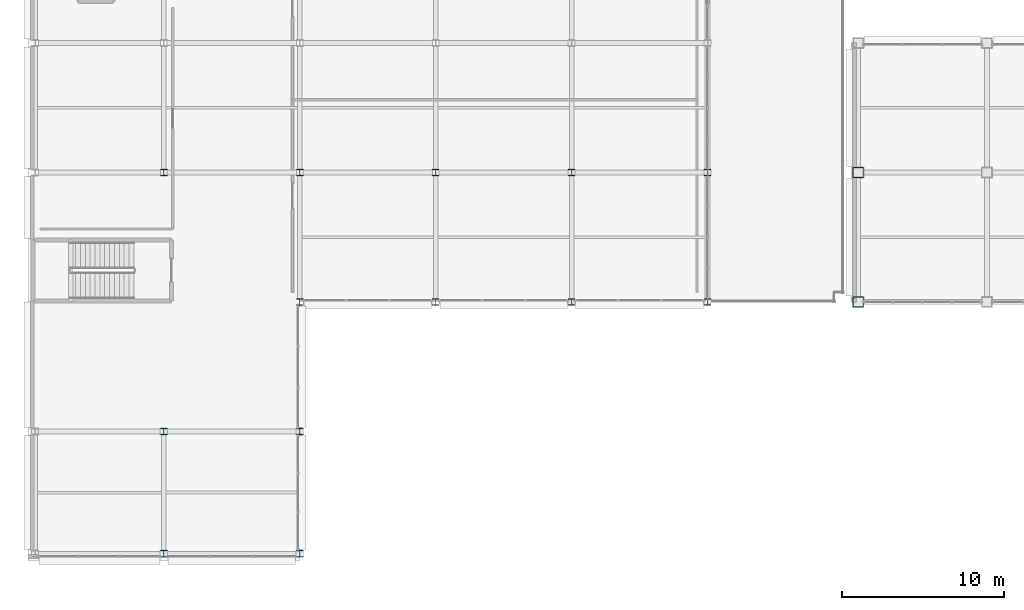
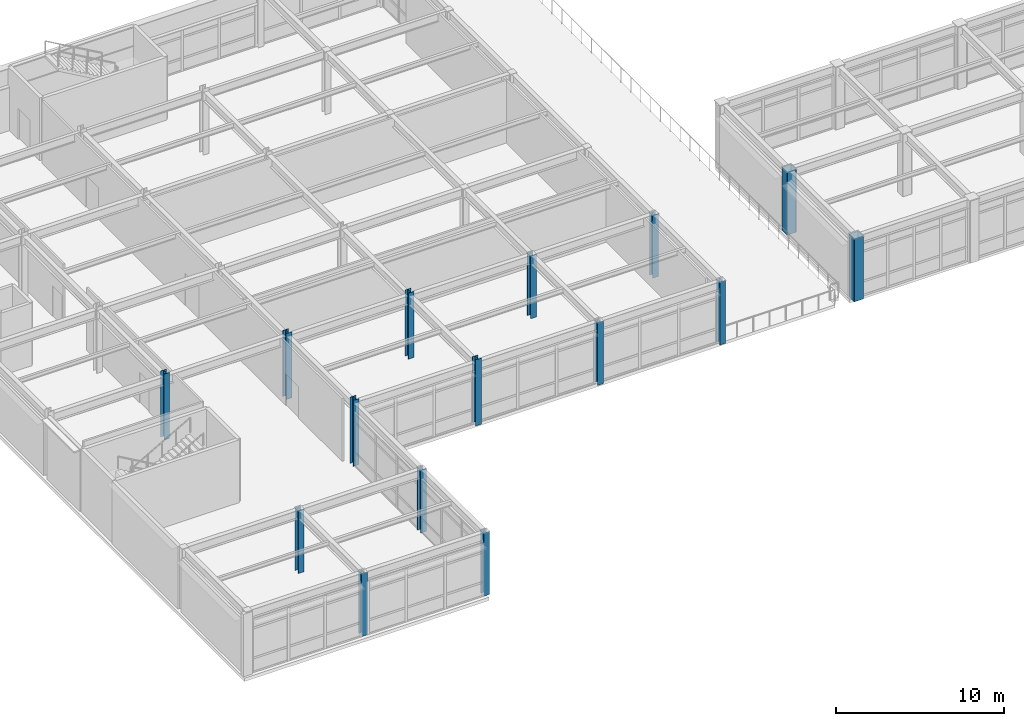
# One storey, part 4 of 93: 15 columns.
"""IFC4 building model written with IfcOpenShell, lengths in metres."""

import ifcopenshell
import ifcopenshell.guid

model = None  # the IFC model being written
_history = None  # IfcOwnerHistory: only IFC2X3 demands one
_inside = {}  # id of a spatial element -> (the spatial element, [elements in it])
_under = {}  # id of a project, library or spatial element -> (it, [spatial elements below it])
_declared = {}  # id of a project -> (the project, [libraries it declares])
_typed = {}  # id of a type object -> (the type object, [elements of that type])
_made_of = {}  # id of a material, layer set ... -> (it, [elements and type objects made of it])


def new_model(schema):
    """Start an empty IFC model of exactly this schema.

    Asked for "IFC4X3", IfcOpenShell would pick the latest addendum, in which some entities
    have other attributes; the version numbers below select the first issue.
    IFC2X3 requires an IfcOwnerHistory on every rooted entity: one is made here for all.
    """
    global model, _history
    if schema == "IFC4X3":
        model = ifcopenshell.file(schema_version=(4, 3, 0, 0))
    else:
        model = ifcopenshell.file(schema=schema)
    _inside.clear()
    _under.clear()
    _declared.clear()
    _typed.clear()
    _made_of.clear()
    _history = None
    if model.schema == "IFC2X3":
        org = make("IfcOrganization", Name="unknown")
        user = make(
            "IfcPersonAndOrganization",
            ThePerson=make("IfcPerson", FamilyName="unknown"),
            TheOrganization=org,
        )
        app = make(
            "IfcApplication",
            ApplicationDeveloper=org,
            Version="unknown",
            ApplicationFullName="unknown",
            ApplicationIdentifier="unknown",
        )
        _history = make(
            "IfcOwnerHistory",
            OwningUser=user,
            OwningApplication=app,
            ChangeAction="ADDED",
            CreationDate=0,
        )
    return model


def make(cls, **values):
    """One entity of the class cls with the attributes given. An attribute that is None is left unset."""
    return model.create_entity(
        cls, **{name: value for name, value in values.items() if value is not None}
    )


def rooted(cls, **values):
    """An entity with a GlobalId (a new one), such as an element, a storey or a relation."""
    return make(cls, GlobalId=ifcopenshell.guid.new(), OwnerHistory=_history, **values)


def si_unit(unit_type, name, prefix=None):
    """IfcSIUnit, for example si_unit("LENGTHUNIT", "METRE", prefix="MILLI")."""
    return make("IfcSIUnit", UnitType=unit_type, Prefix=prefix, Name=name)


def assignment(units):
    """IfcUnitAssignment: the units of a project."""
    return None if units is None else make("IfcUnitAssignment", Units=units)


def point(xyz):
    """IfcCartesianPoint."""
    return None if xyz is None else make("IfcCartesianPoint", Coordinates=xyz)


def direction(xyz):
    """IfcDirection."""
    return None if xyz is None else make("IfcDirection", DirectionRatios=xyz)


def frame(location, z_axis=None, x_axis=None):
    """IfcAxis2Placement3D, a coordinate frame: its origin and axes. An axis left out is left unset."""
    return make(
        "IfcAxis2Placement3D",
        Location=point(location),
        Axis=direction(z_axis),
        RefDirection=direction(x_axis),
    )


def frame_2d(location, x_axis=None):
    """IfcAxis2Placement2D, a coordinate frame in the plane: its origin and x axis."""
    return make(
        "IfcAxis2Placement2D", Location=point(location), RefDirection=direction(x_axis)
    )


def origin():
    """The frame at (0, 0, 0) with its axes left unset."""
    return frame((0.0, 0.0, 0.0))


def origin_2d():
    """The frame at (0, 0) in the plane with its x axis left unset."""
    return frame_2d((0.0, 0.0))


def place(relative_to, where):
    """IfcLocalPlacement: puts the frame where relative to a parent placement (None: the world)."""
    return make(
        "IfcLocalPlacement", PlacementRelTo=relative_to, RelativePlacement=where
    )


def context(
    kind, dimensions, precision=None, world=None, true_north=None, identifier=None
):
    """IfcGeometricRepresentationContext, for example the 3D "Model" context."""
    return make(
        "IfcGeometricRepresentationContext",
        ContextIdentifier=identifier,
        ContextType=kind,
        CoordinateSpaceDimension=dimensions,
        Precision=precision,
        WorldCoordinateSystem=world,
        TrueNorth=true_north,
    )


def subcontext(parent, identifier, kind, view, scale=None):
    """IfcGeometricRepresentationSubContext, for example "Body" below "Model"."""
    return make(
        "IfcGeometricRepresentationSubContext",
        ContextIdentifier=identifier,
        ContextType=kind,
        ParentContext=parent,
        TargetScale=scale,
        TargetView=view,
    )


def project(units=None, contexts=None):
    """IfcProject with its units and contexts."""
    return rooted(
        "IfcProject",
        Name="project",
        RepresentationContexts=contexts,
        UnitsInContext=assignment(units),
    )


def spatial(cls, under=None, at=None, **own):
    """A site, building, storey or space (cls), placed at a placement, below another one or the project."""
    s = rooted(cls, ObjectPlacement=at, **own)
    if under is not None:
        _under.setdefault(under.id(), (under, []))[1].append(s)
    return s


def profile(cls, at=None, kind="AREA", **sizes):
    """A parametric profile (cls). Its sizes go by their IFC names, for example OverallWidth=200.0."""
    return make(cls, ProfileType=kind, Position=at, **sizes)


def hollow_rectangle(**sizes):
    """IfcRectangleHollowProfileDef."""
    return profile("IfcRectangleHollowProfileDef", **sizes)


def i_section(**sizes):
    """IfcIShapeProfileDef."""
    return profile("IfcIShapeProfileDef", **sizes)


def extrude(swept, where, along, depth):
    """IfcExtrudedAreaSolid: the profile swept, set in the frame where, extruded along a direction by depth."""
    return make(
        "IfcExtrudedAreaSolid",
        SweptArea=swept,
        Position=where,
        ExtrudedDirection=direction(along),
        Depth=depth,
    )


def shape(context_of_items, identifier, shape_type, items):
    """IfcShapeRepresentation: the items that make up one representation, for example the "Body"."""
    return make(
        "IfcShapeRepresentation",
        ContextOfItems=context_of_items,
        RepresentationIdentifier=identifier,
        RepresentationType=shape_type,
        Items=items,
    )


def material(Name=None, Category=None):
    """IfcMaterial."""
    return make("IfcMaterial", Name=Name, Category=Category)


def material_profile(
    of_material, cross_section, Name=None, Category=None, Priority=None
):
    """IfcMaterialProfile: a cross section and its material."""
    return make(
        "IfcMaterialProfile",
        Name=Name,
        Material=of_material,
        Profile=cross_section,
        Priority=Priority,
        Category=Category,
    )


def profile_set(profiles, Name=None, composite=None):
    """IfcMaterialProfileSet."""
    return make(
        "IfcMaterialProfileSet",
        Name=Name,
        MaterialProfiles=profiles,
        CompositeProfile=composite,
    )


def made_of(thing, what):
    """Note that an element or type object is made of a material, layer set ...; save() writes the relation."""
    if what is not None:
        _made_of.setdefault(what.id(), (what, []))[1].append(thing)
    return thing


def type_object(cls, material=None, **own):
    """A type object (cls), such as IfcWallType, which elements share."""
    return made_of(rooted(cls, **own), material)


def element(
    cls,
    number,
    at=None,
    inside=None,
    cuts=None,
    type_object=None,
    material=None,
    context=None,
    identifier="Body",
    shape_type=None,
    held_by="IfcProductDefinitionShape",
    body=None,
    shapes=None,
    **own,
):
    """One element of the class cls, such as IfcWall. Its Tag is "e" and its number.

    at: its placement. inside: the storey or other place that contains it. cuts: it is an
    opening in that element (IfcRelVoidsElement). A single representation is given by context,
    identifier, shape_type and body (its items); several are given by shapes. held_by: the class
    of the entity that holds the representations. save() writes the other relations.
    """
    e = rooted(cls, Tag="e%d" % number, ObjectPlacement=at, **own)
    if body is not None:
        shapes = [shape(context, identifier, shape_type, body)]
    if shapes is not None:
        e.Representation = make(held_by, Representations=shapes)
    if inside is not None:
        _inside.setdefault(inside.id(), (inside, []))[1].append(e)
    if cuts is not None:
        rooted(
            "IfcRelVoidsElement", RelatingBuildingElement=cuts, RelatedOpeningElement=e
        )
    if type_object is not None:
        _typed.setdefault(type_object.id(), (type_object, []))[1].append(e)
    return made_of(e, material)


def aggregate(whole, parts):
    """IfcRelAggregates: a whole, such as a stair, and the parts it consists of."""
    return rooted("IfcRelAggregates", RelatingObject=whole, RelatedObjects=parts)


def save(model, path):
    """Write the relations noted so far, then the file.

    IfcRelAggregates (storeys below a building ...), IfcRelContainedInSpatialStructure (elements
    in a storey), IfcRelDefinesByType, IfcRelAssociatesMaterial and IfcRelDeclares: one each for
    every whole, place, type object, material and project.
    """
    for whole, parts in _under.values():
        aggregate(whole, parts)
    for where, things in _inside.values():
        rooted(
            "IfcRelContainedInSpatialStructure",
            RelatedElements=things,
            RelatingStructure=where,
        )
    for kind, things in _typed.values():
        rooted("IfcRelDefinesByType", RelatedObjects=things, RelatingType=kind)
    for what, things in _made_of.values():
        rooted("IfcRelAssociatesMaterial", RelatedObjects=things, RelatingMaterial=what)
    for by, libraries in _declared.values():
        rooted("IfcRelDeclares", RelatingContext=by, RelatedDefinitions=libraries)
    model.write(path)


model = new_model("IFC4")

# Units and contexts
model_context = context("Model", 3, precision=1e-05, world=origin(), true_north=direction((0.0, 1.0)))
body_context = subcontext(model_context, "Body", "Model", "MODEL_VIEW")
ifc_project = project(units=[si_unit("LENGTHUNIT", "METRE"), si_unit("AREAUNIT", "SQUARE_METRE"), si_unit("VOLUMEUNIT", "CUBIC_METRE"), si_unit("PLANEANGLEUNIT", "RADIAN"), si_unit("MASSUNIT", "GRAM", prefix="KILO")], contexts=[model_context])

# Site, building, storey
site_placement = place(None, origin())
site = spatial("IfcSite", under=ifc_project, at=site_placement, CompositionType="ELEMENT")
building_placement = place(site_placement, origin())
building = spatial("IfcBuilding", under=site, at=building_placement, Name="Kazehara Bluff Congress Hotel", CompositionType="ELEMENT")
storey_placement = place(building_placement, frame((0.0, 0.0, 15.0)))
storey = spatial("IfcBuildingStorey", under=building, at=storey_placement, Name="L03", CompositionType="ELEMENT", Elevation=15.0)

# Columns
ifc_material_1 = material(Name="Steel BCR295", Category="steel")
ifc_material_profile_1 = material_profile(ifc_material_1, hollow_rectangle(XDim=0.64990234375, YDim=0.64990234375, WallThickness=0.02490234375, InnerFilletRadius=0.02490234375, OuterFilletRadius=0.050048828125, at=origin_2d()))
ifc_profile_set_1 = profile_set([ifc_material_profile_1], Name="Steel BCR295")
column_type_1 = type_object("IfcColumnType", Name="TP-C-04", PredefinedType="COLUMN", material=ifc_profile_set_1)
for number, where, z_axis, x_axis, name in (
    (1, (110.550048828125, 16.0, 0.0), (0.0, 0.0, 1.0), (1.0, 0.0, 0.0), "L03 column C-04 (110.55,16.00)"),
    (2, (110.550048828125, 24.0, 0.0), (0.0, 0.0, 1.0), (1.0, 0.0, 0.0), "L03 column C-04 (110.55,24.00)"),
):
    element("IfcColumn", number, at=place(storey_placement, frame(where, z_axis=z_axis, x_axis=x_axis)), inside=storey, type_object=column_type_1, Name=name, PredefinedType="COLUMN", context=body_context, shape_type="SweptSolid", body=[
        extrude(hollow_rectangle(XDim=0.64990234375, YDim=0.64990234375, WallThickness=0.02490234375, InnerFilletRadius=0.02490234375, OuterFilletRadius=0.050048828125, at=origin_2d()), origin(), (0.0, 0.0, 1.0), 4.56005859375),
    ])
ifc_material_2 = material(Name="Steel SN490B", Category="steel")
ifc_material_profile_2 = material_profile(ifc_material_2, i_section(OverallWidth=0.39990234375, OverallDepth=0.39990234375, WebThickness=0.012939453125, FlangeThickness=0.02099609375, FilletRadius=0.02197265625, at=origin_2d()))
ifc_profile_set_2 = profile_set([ifc_material_profile_2], Name="Steel SN490B")
column_type_2 = type_object("IfcColumnType", Name="TP-C-09", PredefinedType="COLUMN", material=ifc_profile_set_2)
for number, where, z_axis, x_axis, name in (
    (3, (67.64990234375, 0.449951171875, 0.0), (0.0, 0.0, 1.0), (1.0, 0.0, 0.0), "L03 column C-09 (67.65,0.45)"),
    (4, (67.64990234375, 8.0, 0.0), (0.0, 0.0, 1.0), (1.0, 0.0, 0.0), "L03 column C-09 (67.65,8.00)"),
):
    element("IfcColumn", number, at=place(storey_placement, frame(where, z_axis=z_axis, x_axis=x_axis)), inside=storey, type_object=column_type_2, Name=name, PredefinedType="COLUMN", context=body_context, shape_type="SweptSolid", body=[
        extrude(i_section(OverallWidth=0.39990234375, OverallDepth=0.39990234375, WebThickness=0.012939453125, FlangeThickness=0.02099609375, FilletRadius=0.02197265625, at=origin_2d()), origin(), (0.0, 0.0, 1.0), 4.56005859375),
    ])
column_placement = place(storey_placement, frame((67.64990234375, 24.0, 0.0), z_axis=(0.0, 0.0, 1.0), x_axis=(1.0, 0.0, 0.0)))
element("IfcColumn", 5, at=column_placement, inside=storey, type_object=column_type_2, Name="L03 column C-09 (67.65,24.00)", PredefinedType="COLUMN", context=body_context, shape_type="SweptSolid", body=[
    extrude(i_section(OverallWidth=0.39990234375, OverallDepth=0.39990234375, WebThickness=0.012939453125, FlangeThickness=0.02099609375, FilletRadius=0.02197265625, at=origin_2d()), origin(), (0.0, 0.0, 1.0), 4.800048828125),
])
for number, where, z_axis, x_axis, name in (
    (6, (76.050048828125, 0.449951171875, 0.0), (0.0, 0.0, 1.0), (1.0, 0.0, 0.0), "L03 column C-09 (76.05,0.45)"),
    (7, (76.050048828125, 8.0, 0.0), (0.0, 0.0, 1.0), (1.0, 0.0, 0.0), "L03 column C-09 (76.05,8.00)"),
):
    element("IfcColumn", number, at=place(storey_placement, frame(where, z_axis=z_axis, x_axis=x_axis)), inside=storey, type_object=column_type_2, Name=name, PredefinedType="COLUMN", context=body_context, shape_type="SweptSolid", body=[
        extrude(i_section(OverallWidth=0.39990234375, OverallDepth=0.39990234375, WebThickness=0.012939453125, FlangeThickness=0.02099609375, FilletRadius=0.02197265625, at=origin_2d()), origin(), (0.0, 0.0, 1.0), 4.56005859375),
    ])
for number, where, z_axis, x_axis, name in (
    (8, (76.050048828125, 16.0, 0.0), (0.0, 0.0, 1.0), (1.0, 0.0, 0.0), "L03 column C-09 (76.05,16.00)"),
    (9, (76.050048828125, 24.0, 0.0), (0.0, 0.0, 1.0), (1.0, 0.0, 0.0), "L03 column C-09 (76.05,24.00)"),
    (10, (84.449951171875, 16.0, 0.0), (0.0, 0.0, 1.0), (1.0, 0.0, 0.0), "L03 column C-09 (84.45,16.00)"),
    (11, (84.449951171875, 24.0, 0.0), (0.0, 0.0, 1.0), (1.0, 0.0, 0.0), "L03 column C-09 (84.45,24.00)"),
):
    element("IfcColumn", number, at=place(storey_placement, frame(where, z_axis=z_axis, x_axis=x_axis)), inside=storey, type_object=column_type_2, Name=name, PredefinedType="COLUMN", context=body_context, shape_type="SweptSolid", body=[
        extrude(i_section(OverallWidth=0.39990234375, OverallDepth=0.39990234375, WebThickness=0.012939453125, FlangeThickness=0.02099609375, FilletRadius=0.02197265625, at=origin_2d()), origin(), (0.0, 0.0, 1.0), 4.800048828125),
    ])
for number, where, z_axis, x_axis, name in (
    (12, (92.85009765625, 16.0, 0.0), (0.0, 0.0, 1.0), (1.0, 0.0, 0.0), "L03 column C-09 (92.85,16.00)"),
    (13, (92.85009765625, 24.0, 0.0), (0.0, 0.0, 1.0), (1.0, 0.0, 0.0), "L03 column C-09 (92.85,24.00)"),
    (14, (101.25, 16.0, 0.0), (0.0, 0.0, 1.0), (1.0, 0.0, 0.0), "L03 column C-09 (101.25,16.00)"),
    (15, (101.25, 24.0, 0.0), (0.0, 0.0, 1.0), (1.0, 0.0, 0.0), "L03 column C-09 (101.25,24.00)"),
):
    element("IfcColumn", number, at=place(storey_placement, frame(where, z_axis=z_axis, x_axis=x_axis)), inside=storey, type_object=column_type_2, Name=name, PredefinedType="COLUMN", context=body_context, shape_type="SweptSolid", body=[
        extrude(i_section(OverallWidth=0.39990234375, OverallDepth=0.39990234375, WebThickness=0.012939453125, FlangeThickness=0.02099609375, FilletRadius=0.02197265625, at=origin_2d()), origin(), (0.0, 0.0, 1.0), 4.56005859375),
    ])

save(model, "model.ifc")
